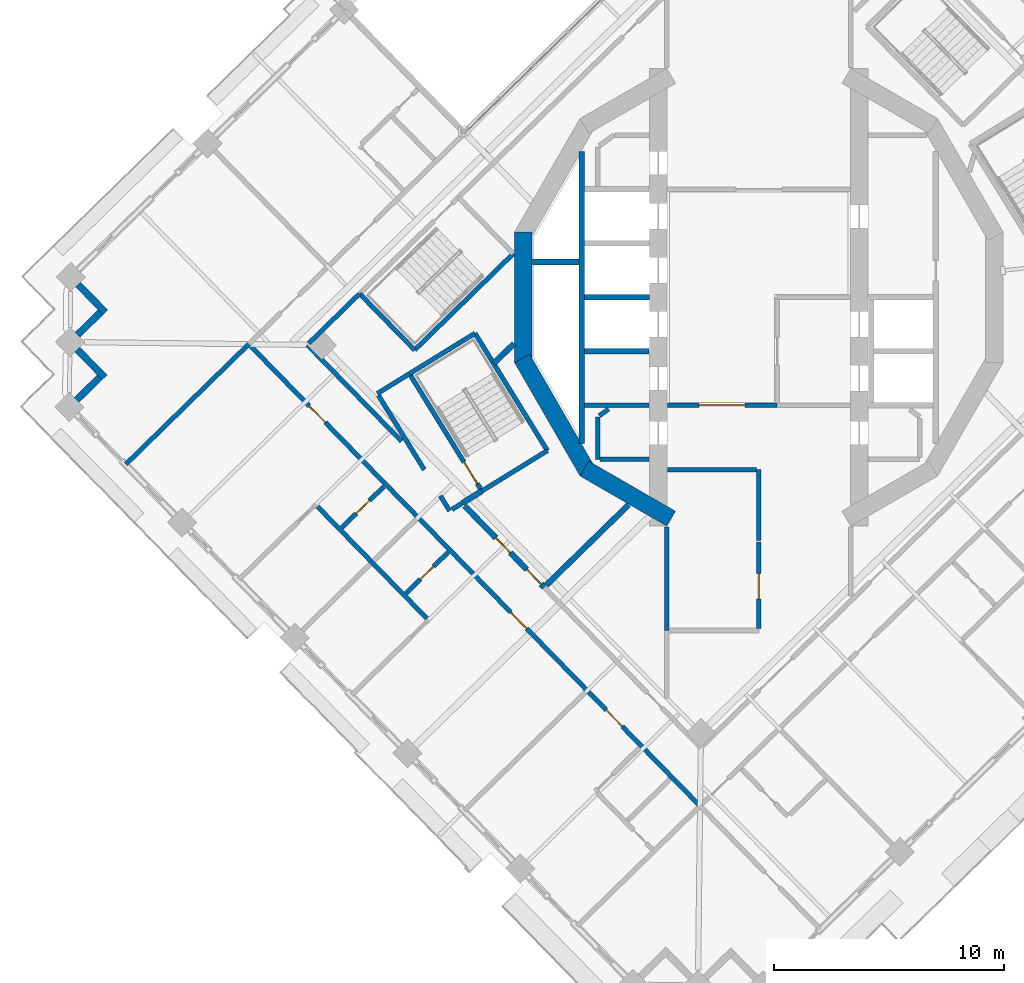
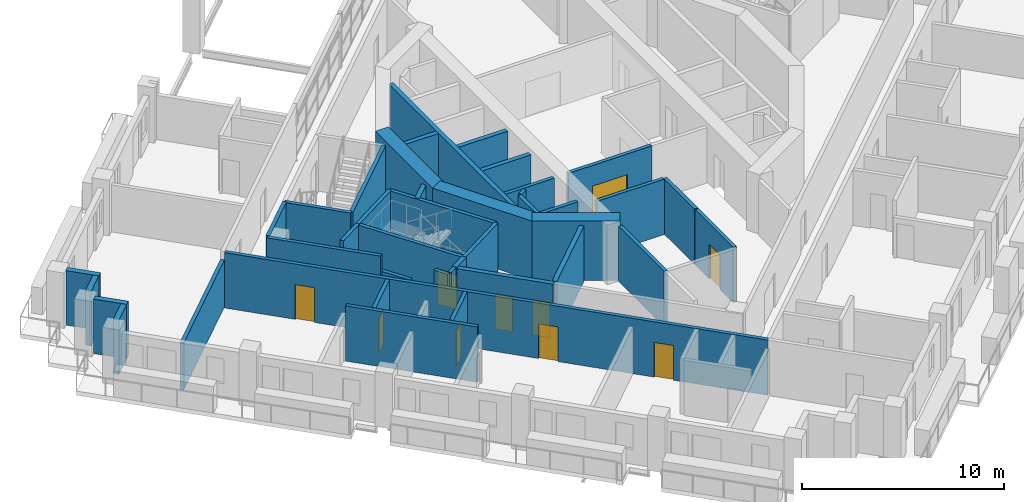
# One storey, part 6 of 18: 41 walls, 10 doors, 10 openings.
"""IFC4 building model written with IfcOpenShell, lengths in metres."""

from ifc_helpers import new_model, si_unit, direction, frame, frame_2d, origin, place, context, subcontext, project, spatial, rectangle, extrude, material, layer, layer_set, type_object, element, fill, save


model = new_model("IFC4")

# Units and contexts
model_context = context("Model", 3, precision=1e-05, world=origin(), true_north=direction((0.0, 1.0)))
body_context = subcontext(model_context, "Body", "Model", "MODEL_VIEW")
ifc_project = project(units=[si_unit("LENGTHUNIT", "METRE"), si_unit("AREAUNIT", "SQUARE_METRE"), si_unit("VOLUMEUNIT", "CUBIC_METRE"), si_unit("PLANEANGLEUNIT", "RADIAN"), si_unit("MASSUNIT", "GRAM", prefix="KILO")], contexts=[model_context])

# Site, building, storey
site_placement = place(None, origin())
site = spatial("IfcSite", under=ifc_project, at=site_placement, CompositionType="ELEMENT")
building_placement = place(site_placement, origin())
building = spatial("IfcBuilding", under=site, at=building_placement, Name="Cantera Rosa Tower", CompositionType="ELEMENT")
storey_placement = place(building_placement, frame((0.0, 0.0, 219.800048828125)))
storey = spatial("IfcBuildingStorey", under=building, at=storey_placement, Name="L47", CompositionType="ELEMENT", Elevation=219.800048828125)

# Wall
ifc_material_1 = material(Name="Gypsum board partition")
ifc_layer_1 = layer(ifc_material_1, 0.199951171875)
ifc_layer_set_1 = layer_set([ifc_layer_1], Name="CORRIDOR WALL 200 H2300")
wall_type_1 = type_object("IfcWallType", Name="CORRIDOR WALL 200 H2300", PredefinedType="PARTITIONING", material=ifc_layer_set_1)
wall_1_placement = place(storey_placement, frame((-16.548095703125, -4.274658203125, 0.0), z_axis=(0.0, 0.0, 1.0), x_axis=(0.524970357961, -0.851120510423, 0.0)))
element("IfcWall", 1, at=wall_1_placement, inside=storey, type_object=wall_type_1, Name="CORRIDOR WALL L47-012", PredefinedType="PARTITIONING", context=body_context, shape_type="SweptSolid", body=[
    extrude(rectangle(XDim=3.790771484375, YDim=0.199951171875, at=frame_2d((1.8955078125, 0.0))), origin(), (0.0, 0.0, 1.0), 2.300048828125),
])

# Wall, openings, doors
ifc_material_2 = material(Name="Gypsum board partition")
ifc_layer_2 = layer(ifc_material_2, 0.199951171875)
ifc_layer_set_2 = layer_set([ifc_layer_2], Name="CORRIDOR WALL 200 H3350")
wall_type_2 = type_object("IfcWallType", Name="CORRIDOR WALL 200 H3350", PredefinedType="PARTITIONING", material=ifc_layer_set_2)
wall_2_placement = place(storey_placement, frame((-22.109130859375, -2.125732421875, 0.0), z_axis=(0.0, 0.0, 1.0), x_axis=(0.698826334324, -0.715291377311, 0.0)))
wall_2 = element("IfcWall", 2, at=wall_2_placement, inside=storey, type_object=wall_type_2, Name="CORRIDOR WALL L47-003", PredefinedType="PARTITIONING", context=body_context, shape_type="SweptSolid", body=[
    extrude(rectangle(XDim=27.97998046875, YDim=0.199951171875, at=frame_2d((13.989990234375, 0.0))), origin(), (0.0, 0.0, 1.0), 3.349853515625),
])
opening_1_placement = place(wall_2_placement, frame((3.64990234375, 0.0, 0.0)))
opening_1 = element("IfcOpeningElement", 3, at=opening_1_placement, cuts=wall_2, Name="Opening L47-037", PredefinedType="OPENING", context=body_context, shape_type="SweptSolid", body=[
    extrude(rectangle(XDim=1.0, YDim=2.10009765625, at=frame_2d((0.5, 1.050048828125))), frame((0.0, 0.10986328125, 0.0), z_axis=(0.0, -1.0, 0.0), x_axis=(1.0, 0.0, 0.0)), (0.0, 0.0, 1.0), 0.219970703125),
])
opening_2_placement = place(wall_2_placement, frame((16.18505859375, 0.0, 0.0)))
opening_2 = element("IfcOpeningElement", 4, at=opening_2_placement, cuts=wall_2, Name="Opening L47-040", PredefinedType="OPENING", context=body_context, shape_type="SweptSolid", body=[
    extrude(rectangle(XDim=1.0, YDim=2.10009765625, at=frame_2d((0.5, 1.050048828125))), frame((0.0, 0.10986328125, 0.0), z_axis=(0.0, -1.0, 0.0), x_axis=(1.0, 0.0, 0.0)), (0.0, 0.0, 1.0), 0.219970703125),
])
opening_3_placement = place(wall_2_placement, frame((22.139892578125, 0.0, 0.0)))
opening_3 = element("IfcOpeningElement", 5, at=opening_3_placement, cuts=wall_2, Name="Opening L47-043", PredefinedType="OPENING", context=body_context, shape_type="SweptSolid", body=[
    extrude(rectangle(XDim=1.0, YDim=2.10009765625, at=frame_2d((0.5, 1.050048828125))), frame((0.0, 0.10986328125, 0.0), z_axis=(0.0, -1.0, 0.0), x_axis=(1.0, 0.0, 0.0)), (0.0, 0.0, 1.0), 0.219970703125),
])
ifc_material_3 = material(Name="Timber door leaf", Category="wood")
door_type_1 = type_object("IfcDoorType", Name="ENTRANCE DOOR 1000x2100", OperationType="NOTDEFINED", PredefinedType="DOOR", material=ifc_material_3)
door_1_placement = place(opening_1_placement, origin())
door_1 = element("IfcDoor", 6, at=door_1_placement, inside=storey, type_object=door_type_1, Name="DOOR L47-037", OperationType="NOTDEFINED", OverallHeight=2.10009765625, OverallWidth=1.0, PredefinedType="DOOR", context=body_context, shape_type="SweptSolid", body=[
    extrude(rectangle(XDim=1.0, YDim=2.10009765625, at=frame_2d((0.5, 1.050048828125))), frame((0.0, 0.02490234375, 0.0), z_axis=(0.0, -1.0, 0.0), x_axis=(1.0, 0.0, 0.0)), (0.0, 0.0, 1.0), 0.050048828125),
])
fill(opening_1, door_1)
door_2_placement = place(opening_2_placement, origin())
door_2 = element("IfcDoor", 7, at=door_2_placement, inside=storey, type_object=door_type_1, Name="DOOR L47-040", OperationType="NOTDEFINED", OverallHeight=2.10009765625, OverallWidth=1.0, PredefinedType="DOOR", context=body_context, shape_type="SweptSolid", body=[
    extrude(rectangle(XDim=1.0, YDim=2.10009765625, at=frame_2d((0.5, 1.050048828125))), frame((0.0, 0.02490234375, 0.0), z_axis=(0.0, -1.0, 0.0), x_axis=(1.0, 0.0, 0.0)), (0.0, 0.0, 1.0), 0.050048828125),
])
fill(opening_2, door_2)
door_3_placement = place(opening_3_placement, origin())
door_3 = element("IfcDoor", 8, at=door_3_placement, inside=storey, type_object=door_type_1, Name="DOOR L47-043", OperationType="NOTDEFINED", OverallHeight=2.10009765625, OverallWidth=1.0, PredefinedType="DOOR", context=body_context, shape_type="SweptSolid", body=[
    extrude(rectangle(XDim=1.0, YDim=2.10009765625, at=frame_2d((0.5, 1.050048828125))), frame((0.0, 0.02490234375, 0.0), z_axis=(0.0, -1.0, 0.0), x_axis=(1.0, 0.0, 0.0)), (0.0, 0.0, 1.0), 0.050048828125),
])
fill(opening_3, door_3)

# Walls
wall_3_placement = place(storey_placement, frame((-19.647705078125, -2.069580078125, 0.0), z_axis=(0.0, 0.0, 1.0), x_axis=(0.698845926006, -0.715272236079, 0.0)))
element("IfcWall", 9, at=wall_3_placement, inside=storey, type_object=wall_type_2, Name="CORRIDOR WALL L47-004", PredefinedType="PARTITIONING", context=body_context, shape_type="SweptSolid", body=[
    extrude(rectangle(XDim=5.870849609375, YDim=0.199951171875, at=frame_2d((2.935546875, 0.0))), origin(), (0.0, 0.0, 1.0), 3.349853515625),
])
wall_4_placement = place(storey_placement, frame((-17.36962890625, 0.156005859375, 0.0), z_axis=(0.0, 0.0, 1.0), x_axis=(-0.715289693103, -0.69882805821, 0.0)))
element("IfcWall", 10, at=wall_4_placement, inside=storey, type_object=wall_type_2, Name="CORRIDOR WALL L47-009", PredefinedType="PARTITIONING", context=body_context, shape_type="SweptSolid", body=[
    extrude(rectangle(XDim=3.084716796875, YDim=0.199951171875, at=frame_2d((1.54248046875, 0.0))), origin(), (0.0, 0.0, 1.0), 3.349853515625),
])
wall_5_placement = place(storey_placement, frame((-16.6005859375, -4.189697265625, 0.0), z_axis=(0.0, 0.0, 1.0), x_axis=(0.8510360128, 0.525107327047, 0.0)))
element("IfcWall", 11, at=wall_5_placement, inside=storey, type_object=wall_type_2, Name="CORRIDOR WALL L47-011", PredefinedType="PARTITIONING", context=body_context, shape_type="SweptSolid", body=[
    extrude(rectangle(XDim=1.64501953125, YDim=0.199951171875, at=frame_2d((0.822509765625, 0.0))), origin(), (0.0, 0.0, 1.0), 3.349853515625),
])
wall_6_placement = place(storey_placement, frame((-13.8525390625, -8.64501953125, 0.0), z_axis=(0.0, 0.0, 1.0), x_axis=(0.52482706305, -0.851208877944, 0.0)))
element("IfcWall", 12, at=wall_6_placement, inside=storey, type_object=wall_type_2, Name="CORRIDOR WALL L47-013", PredefinedType="PARTITIONING", context=body_context, shape_type="SweptSolid", body=[
    extrude(rectangle(XDim=0.76513671875, YDim=0.199951171875, at=frame_2d((0.382568359375, 0.0))), origin(), (0.0, 0.0, 1.0), 3.349853515625),
])
wall_7_placement = place(storey_placement, frame((-13.3486328125, -9.2333984375, 0.0), z_axis=(0.0, 0.0, 1.0), x_axis=(0.851004350762, 0.525158637922, 0.0)))
element("IfcWall", 13, at=wall_7_placement, inside=storey, type_object=wall_type_2, Name="CORRIDOR WALL L47-020", PredefinedType="PARTITIONING", context=body_context, shape_type="SweptSolid", body=[
    extrude(rectangle(XDim=0.51318359375, YDim=0.199951171875, at=frame_2d((0.256591796875, 0.0))), origin(), (0.0, 0.0, 1.0), 3.349853515625),
])

# Wall, opening, door
wall_8_placement = place(storey_placement, frame((0.0, -14.419921875, 0.0), z_axis=(0.0, 0.0, 1.0), x_axis=(0.0, 1.0, 0.0)))
wall_8 = element("IfcWall", 14, at=wall_8_placement, inside=storey, type_object=wall_type_2, Name="CORRIDOR WALL L47-062", PredefinedType="PARTITIONING", context=body_context, shape_type="SweptSolid", body=[
    extrude(rectangle(XDim=3.7646484375, YDim=0.199951171875, at=frame_2d((1.88232421875, 0.0))), origin(), (0.0, 0.0, 1.0), 3.349853515625),
])
opening_4_placement = place(wall_8_placement, frame((1.29248046875, 0.0, 0.0)))
opening_4 = element("IfcOpeningElement", 15, at=opening_4_placement, cuts=wall_8, Name="Opening L47-017", PredefinedType="OPENING", context=body_context, shape_type="SweptSolid", body=[
    extrude(rectangle(XDim=1.10009765625, YDim=2.10009765625, at=frame_2d((0.550048828125, 1.050048828125))), frame((0.0, 0.10986328125, 0.0), z_axis=(0.0, -1.0, 0.0), x_axis=(1.0, 0.0, 0.0)), (0.0, 0.0, 1.0), 0.219970703125),
])
ifc_material_4 = material(Name="Timber door leaf", Category="wood")
door_type_2 = type_object("IfcDoorType", Name="ROOM DOOR 1100x2100", OperationType="NOTDEFINED", PredefinedType="DOOR", material=ifc_material_4)
door_4_placement = place(opening_4_placement, origin())
door_4 = element("IfcDoor", 16, at=door_4_placement, inside=storey, type_object=door_type_2, Name="DOOR L47-017", OperationType="NOTDEFINED", OverallHeight=2.10009765625, OverallWidth=1.10009765625, PredefinedType="DOOR", context=body_context, shape_type="SweptSolid", body=[
    extrude(rectangle(XDim=1.10009765625, YDim=2.10009765625, at=frame_2d((0.550048828125, 1.050048828125))), frame((0.0, 0.02490234375, 0.0), z_axis=(0.0, -1.0, 0.0), x_axis=(1.0, 0.0, 0.0)), (0.0, 0.0, 1.0), 0.050048828125),
])
fill(opening_4, door_4)

# Walls
wall_9_placement = place(storey_placement, frame((0.0, -10.59521484375, 0.0), z_axis=(0.0, 0.0, 1.0), x_axis=(0.0, 1.0, 0.0)))
element("IfcWall", 17, at=wall_9_placement, inside=storey, type_object=wall_type_2, Name="CORRIDOR WALL L47-063", PredefinedType="PARTITIONING", context=body_context, shape_type="SweptSolid", body=[
    extrude(rectangle(XDim=3.09521484375, YDim=0.199951171875, at=frame_2d((1.547607421875, 0.0))), origin(), (0.0, 0.0, 1.0), 3.349853515625),
])
wall_10_placement = place(storey_placement, frame((-0.10009765625, -7.5, 0.0), z_axis=(0.0, 0.0, 1.0), x_axis=(-1.0, 0.0, 0.0)))
element("IfcWall", 18, at=wall_10_placement, inside=storey, type_object=wall_type_2, Name="CORRIDOR WALL L47-064", PredefinedType="PARTITIONING", context=body_context, shape_type="SweptSolid", body=[
    extrude(rectangle(XDim=3.869873046875, YDim=0.199951171875, at=frame_2d((1.93505859375, 0.0))), origin(), (0.0, 0.0, 1.0), 3.349853515625),
])

# Wall, opening, door
wall_11_placement = place(storey_placement, frame((0.800048828125, -4.699951171875, 0.0), z_axis=(0.0, 0.0, 1.0), x_axis=(-1.0, 0.0, 0.0)))
wall_11 = element("IfcWall", 19, at=wall_11_placement, inside=storey, type_object=wall_type_2, Name="CORRIDOR WALL L47-065", PredefinedType="PARTITIONING", context=body_context, shape_type="SweptSolid", body=[
    extrude(rectangle(XDim=4.77001953125, YDim=0.199951171875, at=frame_2d((2.385009765625, 0.0))), origin(), (0.0, 0.0, 1.0), 3.349853515625),
])
opening_5_placement = place(wall_11_placement, frame((1.39990234375, 0.0, 0.0)))
opening_5 = element("IfcOpeningElement", 20, at=opening_5_placement, cuts=wall_11, Name="Opening L47-015", PredefinedType="OPENING", context=body_context, shape_type="SweptSolid", body=[
    extrude(rectangle(XDim=2.0, YDim=2.10009765625, at=frame_2d((1.0, 1.050048828125))), frame((0.0, 0.10986328125, 0.0), z_axis=(0.0, -1.0, 0.0), x_axis=(1.0, 0.0, 0.0)), (0.0, 0.0, 1.0), 0.219970703125),
])
ifc_material_5 = material(Name="Steel S355J2 (EN 10025-2)", Category="steel")
door_type_3 = type_object("IfcDoorType", Name="LOBBY SCREEN DOOR 2000x2100", OperationType="NOTDEFINED", PredefinedType="DOOR", material=ifc_material_5)
door_5_placement = place(opening_5_placement, origin())
door_5 = element("IfcDoor", 21, at=door_5_placement, inside=storey, type_object=door_type_3, Name="DOOR L47-015", OperationType="NOTDEFINED", OverallHeight=2.10009765625, OverallWidth=2.0, PredefinedType="DOOR", context=body_context, shape_type="SweptSolid", body=[
    extrude(rectangle(XDim=2.0, YDim=2.10009765625, at=frame_2d((1.0, 1.050048828125))), frame((0.0, 0.02490234375, 0.0), z_axis=(0.0, -1.0, 0.0), x_axis=(1.0, 0.0, 0.0)), (0.0, 0.0, 1.0), 0.050048828125),
])
fill(opening_5, door_5)

# Walls
ifc_material_6 = material(Name="Hollow clay masonry with cantera stone cladding", Category="masonry")
ifc_layer_3 = layer(ifc_material_6, 0.300048828125)
ifc_layer_set_3 = layer_set([ifc_layer_3], Name="EW-LOGGIA 300")
wall_type_3 = type_object("IfcWallType", Name="EW-LOGGIA 300", PredefinedType="SOLIDWALL", material=ifc_layer_set_3)
wall_12_placement = place(storey_placement, frame((-29.623291015625, 0.556884765625, 0.0), z_axis=(0.0, 0.0, 1.0), x_axis=(0.69880105094, -0.715316077832, 0.0)))
element("IfcWall", 22, at=wall_12_placement, inside=storey, type_object=wall_type_3, Name="EN-L47-W12a", PredefinedType="SOLIDWALL", context=body_context, shape_type="SweptSolid", body=[
    extrude(rectangle(XDim=1.699951171875, YDim=0.300048828125, at=frame_2d((0.85009765625, 0.0))), origin(), (0.0, 0.0, 1.0), 3.300048828125),
])
wall_13_placement = place(storey_placement, frame((-28.6474609375, -0.65673828125, 0.0), z_axis=(0.0, 0.0, 1.0), x_axis=(-0.715341715727, -0.698774806172, 0.0)))
element("IfcWall", 23, at=wall_13_placement, inside=storey, type_object=wall_type_3, Name="EN-L47-W12b", PredefinedType="SOLIDWALL", context=body_context, shape_type="SweptSolid", body=[
    extrude(rectangle(XDim=1.39990234375, YDim=0.300048828125, at=frame_2d((0.699951171875, 0.0))), origin(), (0.0, 0.0, 1.0), 3.300048828125),
])
wall_14_placement = place(storey_placement, frame((-29.65625, -2.271484375, 0.0), z_axis=(0.0, 0.0, 1.0), x_axis=(0.698872839675, -0.715245939495, 0.0)))
element("IfcWall", 24, at=wall_14_placement, inside=storey, type_object=wall_type_3, Name="EN-L47-W13a", PredefinedType="SOLIDWALL", context=body_context, shape_type="SweptSolid", body=[
    extrude(rectangle(XDim=1.699951171875, YDim=0.300048828125, at=frame_2d((0.85009765625, 0.0))), origin(), (0.0, 0.0, 1.0), 3.300048828125),
])
wall_15_placement = place(storey_placement, frame((-28.680419921875, -3.48486328125, 0.0), z_axis=(0.0, 0.0, 1.0), x_axis=(-0.71516937164, -0.698951192766, 0.0)))
element("IfcWall", 25, at=wall_15_placement, inside=storey, type_object=wall_type_3, Name="EN-L47-W13b", PredefinedType="SOLIDWALL", context=body_context, shape_type="SweptSolid", body=[
    extrude(rectangle(XDim=1.39990234375, YDim=0.300048828125, at=frame_2d((0.699951171875, 0.0))), origin(), (0.0, 0.0, 1.0), 3.300048828125),
])
ifc_material_7 = material(Name="Gypsum board partition")
ifc_layer_4 = layer(ifc_material_7, 0.199951171875)
ifc_layer_set_4 = layer_set([ifc_layer_4], Name="PARTITION 200 H3350")
wall_type_4 = type_object("IfcWallType", Name="PARTITION 200 H3350", PredefinedType="PARTITIONING", material=ifc_layer_set_4)
wall_16_placement = place(storey_placement, frame((-19.19921875, -9.111083984375, 0.0), z_axis=(0.0, 0.0, 1.0), x_axis=(0.698837366631, -0.715280598787, 0.0)))
element("IfcWall", 26, at=wall_16_placement, inside=storey, type_object=wall_type_4, Name="PARTITION L47-005", PredefinedType="PARTITIONING", context=body_context, shape_type="SweptSolid", body=[
    extrude(rectangle(XDim=6.800048828125, YDim=0.199951171875, at=frame_2d((3.39990234375, 0.0))), origin(), (0.0, 0.0, 1.0), 3.349853515625),
])

# Wall, opening, door
wall_17_placement = place(storey_placement, frame((-18.14208984375, -10.021484375, 0.0), z_axis=(0.0, 0.0, 1.0), x_axis=(0.715307445705, 0.698809886965, 0.0)))
wall_17 = element("IfcWall", 27, at=wall_17_placement, inside=storey, type_object=wall_type_4, Name="PARTITION L47-007", PredefinedType="PARTITIONING", context=body_context, shape_type="SweptSolid", body=[
    extrude(rectangle(XDim=2.56005859375, YDim=0.199951171875, at=frame_2d((1.280029296875, 0.0))), origin(), (0.0, 0.0, 1.0), 3.349853515625),
])
opening_6_placement = place(wall_17_placement, frame((0.8798828125, 0.0, 0.0)))
opening_6 = element("IfcOpeningElement", 28, at=opening_6_placement, cuts=wall_17, Name="Opening L47-038", PredefinedType="OPENING", context=body_context, shape_type="SweptSolid", body=[
    extrude(rectangle(XDim=0.800048828125, YDim=2.10009765625, at=frame_2d((0.39990234375, 1.050048828125))), frame((0.0, 0.10986328125, 0.0), z_axis=(0.0, -1.0, 0.0), x_axis=(1.0, 0.0, 0.0)), (0.0, 0.0, 1.0), 0.219970703125),
])
ifc_material_8 = material(Name="Timber door leaf", Category="wood")
door_type_4 = type_object("IfcDoorType", Name="BATHROOM DOOR 800x2100", OperationType="NOTDEFINED", PredefinedType="DOOR", material=ifc_material_8)
door_6_placement = place(opening_6_placement, origin())
door_6 = element("IfcDoor", 29, at=door_6_placement, inside=storey, type_object=door_type_4, Name="DOOR L47-038", OperationType="NOTDEFINED", OverallHeight=2.10009765625, OverallWidth=0.800048828125, PredefinedType="DOOR", context=body_context, shape_type="SweptSolid", body=[
    extrude(rectangle(XDim=0.800048828125, YDim=2.10009765625, at=frame_2d((0.39990234375, 1.050048828125))), frame((0.0, 0.02490234375, 0.0), z_axis=(0.0, -1.0, 0.0), x_axis=(1.0, 0.0, 0.0)), (0.0, 0.0, 1.0), 0.050048828125),
])
fill(opening_6, door_6)

wall_18_placement = place(storey_placement, frame((-13.515380859375, -11.093505859375, 0.0), z_axis=(0.0, 0.0, 1.0), x_axis=(-0.715307445705, -0.698809886965, 0.0)))
wall_18 = element("IfcWall", 30, at=wall_18_placement, inside=storey, type_object=wall_type_4, Name="PARTITION L47-021", PredefinedType="PARTITIONING", context=body_context, shape_type="SweptSolid", body=[
    extrude(rectangle(XDim=2.56005859375, YDim=0.199951171875, at=frame_2d((1.280029296875, 0.0))), origin(), (0.0, 0.0, 1.0), 3.349853515625),
])
opening_7_placement = place(wall_18_placement, frame((0.8798828125, 0.0, 0.0)))
opening_7 = element("IfcOpeningElement", 31, at=opening_7_placement, cuts=wall_18, Name="Opening L47-041", PredefinedType="OPENING", context=body_context, shape_type="SweptSolid", body=[
    extrude(rectangle(XDim=0.800048828125, YDim=2.10009765625, at=frame_2d((0.39990234375, 1.050048828125))), frame((0.0, 0.10986328125, 0.0), z_axis=(0.0, -1.0, 0.0), x_axis=(1.0, 0.0, 0.0)), (0.0, 0.0, 1.0), 0.219970703125),
])
door_7_placement = place(opening_7_placement, origin())
door_7 = element("IfcDoor", 32, at=door_7_placement, inside=storey, type_object=door_type_4, Name="DOOR L47-041", OperationType="NOTDEFINED", OverallHeight=2.10009765625, OverallWidth=0.800048828125, PredefinedType="DOOR", context=body_context, shape_type="SweptSolid", body=[
    extrude(rectangle(XDim=0.800048828125, YDim=2.10009765625, at=frame_2d((0.39990234375, 1.050048828125))), frame((0.0, 0.02490234375, 0.0), z_axis=(0.0, -1.0, 0.0), x_axis=(1.0, 0.0, 0.0)), (0.0, 0.0, 1.0), 0.050048828125),
])
fill(opening_7, door_7)

# Walls
wall_19_placement = place(storey_placement, frame((-7.0, -7.050048828125, 0.0), z_axis=(0.0, 0.0, 1.0), x_axis=(0.0, 1.0, 0.0)))
element("IfcWall", 33, at=wall_19_placement, inside=storey, type_object=wall_type_4, Name="PARTITION L47-041", PredefinedType="PARTITIONING", context=body_context, shape_type="SweptSolid", body=[
    extrude(rectangle(XDim=1.85009765625, YDim=0.199951171875, at=frame_2d((0.925048828125, 0.0))), origin(), (0.0, 0.0, 1.0), 3.349853515625),
])
wall_20_placement = place(storey_placement, frame((-6.935302734375, -5.15283203125, 0.0), z_axis=(0.0, 0.0, 1.0), x_axis=(0.808368872862, 0.588676282338, 0.0)))
element("IfcWall", 34, at=wall_20_placement, inside=storey, type_object=wall_type_4, Name="PARTITION L47-042", PredefinedType="PARTITIONING", context=body_context, shape_type="SweptSolid", body=[
    extrude(rectangle(XDim=0.489013671875, YDim=0.199951171875, at=frame_2d((0.24462890625, 0.0))), origin(), (0.0, 0.0, 1.0), 3.349853515625),
])
wall_21_placement = place(storey_placement, frame((-4.780029296875, -7.050048828125, 0.0), z_axis=(0.0, 0.0, 1.0), x_axis=(-1.0, 0.0, 0.0)))
element("IfcWall", 35, at=wall_21_placement, inside=storey, type_object=wall_type_4, Name="PARTITION L47-048", PredefinedType="PARTITIONING", context=body_context, shape_type="SweptSolid", body=[
    extrude(rectangle(XDim=2.139892578125, YDim=0.199951171875, at=frame_2d((1.06982421875, 0.0))), origin(), (0.0, 0.0, 1.0), 3.349853515625),
])
wall_22_placement = place(storey_placement, frame((-4.780029296875, -4.699951171875, 0.0), z_axis=(0.0, 0.0, 1.0), x_axis=(-1.0, 0.0, 0.0)))
element("IfcWall", 36, at=wall_22_placement, inside=storey, type_object=wall_type_4, Name="PARTITION L47-049", PredefinedType="PARTITIONING", context=body_context, shape_type="SweptSolid", body=[
    extrude(rectangle(XDim=2.794921875, YDim=0.199951171875, at=frame_2d((1.3974609375, 0.0))), origin(), (0.0, 0.0, 1.0), 3.349853515625),
])
wall_23_placement = place(storey_placement, frame((-4.0, -9.994140625, 0.0), z_axis=(0.0, 0.0, 1.0), x_axis=(0.0, -1.0, 0.0)))
element("IfcWall", 37, at=wall_23_placement, inside=storey, type_object=wall_type_4, Name="PARTITION L47-053", PredefinedType="PARTITIONING", context=body_context, shape_type="SweptSolid", body=[
    extrude(rectangle(XDim=4.505859375, YDim=0.199951171875, at=frame_2d((2.2529296875, 0.0))), origin(), (0.0, 0.0, 1.0), 3.349853515625),
])
ifc_material_9 = material(Name="Gypsum board partition")
ifc_layer_5 = layer(ifc_material_9, 0.199951171875)
ifc_layer_set_5 = layer_set([ifc_layer_5], Name="PARTY WALL 200 H2850")
wall_type_5 = type_object("IfcWallType", Name="PARTY WALL 200 H2850", PredefinedType="PARTITIONING", material=ifc_layer_set_5)
wall_24_placement = place(storey_placement, frame((-22.193115234375, -2.0400390625, 0.0), z_axis=(0.0, 0.0, 1.0), x_axis=(-0.715278908715, -0.698839096465, 0.0)))
element("IfcWall", 38, at=wall_24_placement, inside=storey, type_object=wall_type_5, Name="PARTY WALL L47-002", PredefinedType="PARTITIONING", context=body_context, shape_type="SweptSolid", body=[
    extrude(rectangle(XDim=7.4697265625, YDim=0.199951171875, at=frame_2d((3.73486328125, 0.0))), origin(), (0.0, 0.0, 1.0), 2.849853515625),
])
ifc_material_10 = material(Name="Concrete C60/75", Category="concrete")
ifc_layer_6 = layer(ifc_material_10, 0.75)
ifc_layer_set_6 = layer_set([ifc_layer_6], Name="RC CORE WALL 750 C60/75")
wall_type_6 = type_object("IfcWallType", Name="RC CORE WALL 750 C60/75", PredefinedType="SHEAR", material=ifc_layer_set_6)
wall_25_placement = place(storey_placement, frame((-3.8125, -9.634765625, 0.0), z_axis=(0.0, 0.0, 1.0), x_axis=(-0.866013176292, 0.50002117804, 0.0)))
element("IfcWall", 39, at=wall_25_placement, inside=storey, type_object=wall_type_6, Name="CW-W1 L47", PredefinedType="SHEAR", context=body_context, shape_type="SweptSolid", body=[
    extrude(rectangle(XDim=4.362548828125, YDim=0.75, at=frame_2d((2.18115234375, 0.0))), origin(), (0.0, 0.0, 1.0), 3.599853515625),
])
wall_26_placement = place(storey_placement, frame((-7.453369140625, -7.590576171875, 0.0), z_axis=(0.0, 0.0, 1.0), x_axis=(-0.500021842983, 0.866012792365, 0.0)))
element("IfcWall", 40, at=wall_26_placement, inside=storey, type_object=wall_type_6, Name="CW-W2 L47", PredefinedType="SHEAR", context=body_context, shape_type="SweptSolid", body=[
    extrude(rectangle(XDim=5.694091796875, YDim=0.75, at=frame_2d((2.84716796875, 0.0))), origin(), (0.0, 0.0, 1.0), 3.599853515625),
])
wall_27_placement = place(storey_placement, frame((-10.250244140625, -2.846923828125, 0.0), z_axis=(0.0, 0.0, 1.0), x_axis=(0.0, 1.0, 0.0)))
element("IfcWall", 41, at=wall_27_placement, inside=storey, type_object=wall_type_6, Name="CW-W3 L47", PredefinedType="SHEAR", context=body_context, shape_type="SweptSolid", body=[
    extrude(rectangle(XDim=5.69384765625, YDim=0.75, at=frame_2d((2.846923828125, 0.0))), origin(), (0.0, 0.0, 1.0), 3.599853515625),
])
ifc_material_11 = material(Name="Masonry blockwork", Category="masonry")
ifc_layer_7 = layer(ifc_material_11, 0.25)
ifc_layer_set_7 = layer_set([ifc_layer_7], Name="SHAFT WALL 250 H3350")
wall_type_7 = type_object("IfcWallType", Name="SHAFT WALL 250 H3350", PredefinedType="SOLIDWALL", material=ifc_layer_set_7)
wall_28_placement = place(storey_placement, frame((-12.89501953125, -8.953369140625, 0.0), z_axis=(0.0, 0.0, 1.0), x_axis=(0.851108551738, 0.524989745765, 0.0)))
element("IfcWall", 42, at=wall_28_placement, inside=storey, type_object=wall_type_7, Name="SHAFT WALL L47-023", PredefinedType="SOLIDWALL", context=body_context, shape_type="SweptSolid", body=[
    extrude(rectangle(XDim=0.991943359375, YDim=0.25, at=frame_2d((0.49609375, 0.0))), origin(), (0.0, 0.0, 1.0), 3.349853515625),
])

# Wall, openings, doors
wall_29_placement = place(storey_placement, frame((-12.800048828125, -9.078369140625, 0.0), z_axis=(0.0, 0.0, 1.0), x_axis=(0.698824608222, -0.715293063676, 0.0)))
wall_29 = element("IfcWall", 43, at=wall_29_placement, inside=storey, type_object=wall_type_7, Name="SHAFT WALL L47-024", PredefinedType="SOLIDWALL", context=body_context, shape_type="SweptSolid", body=[
    extrude(rectangle(XDim=4.951416015625, YDim=0.25, at=frame_2d((2.4755859375, 0.0))), origin(), (0.0, 0.0, 1.0), 3.349853515625),
])
opening_8_placement = place(wall_29_placement, frame((3.862548828125, 0.0, 0.0)))
opening_8 = element("IfcOpeningElement", 44, at=opening_8_placement, cuts=wall_29, Name="Opening L47-009", PredefinedType="OPENING", context=body_context, shape_type="SweptSolid", body=[
    extrude(rectangle(XDim=0.89990234375, YDim=2.10009765625, at=frame_2d((0.449951171875, 1.050048828125))), frame((0.0, 0.135009765625, 0.0), z_axis=(0.0, -1.0, 0.0), x_axis=(1.0, 0.0, 0.0)), (0.0, 0.0, 1.0), 0.27001953125),
])
opening_9_placement = place(wall_29_placement, frame((1.94580078125, 0.0, 0.0)))
opening_9 = element("IfcOpeningElement", 45, at=opening_9_placement, cuts=wall_29, Name="Opening L47-057", PredefinedType="OPENING", context=body_context, shape_type="SweptSolid", body=[
    extrude(rectangle(XDim=0.89990234375, YDim=2.10009765625, at=frame_2d((0.449951171875, 1.050048828125))), frame((0.0, 0.135009765625, 0.0), z_axis=(0.0, -1.0, 0.0), x_axis=(1.0, 0.0, 0.0)), (0.0, 0.0, 1.0), 0.27001953125),
])
ifc_material_12 = material(Name="Timber door leaf", Category="wood")
door_type_5 = type_object("IfcDoorType", Name="SERVICE DOOR 900x2100", OperationType="NOTDEFINED", PredefinedType="DOOR", material=ifc_material_12)
door_8_placement = place(opening_8_placement, origin())
door_8 = element("IfcDoor", 46, at=door_8_placement, inside=storey, type_object=door_type_5, Name="RISER DOOR L47-009", OperationType="NOTDEFINED", OverallHeight=2.10009765625, OverallWidth=0.89990234375, PredefinedType="DOOR", context=body_context, shape_type="SweptSolid", body=[
    extrude(rectangle(XDim=0.89990234375, YDim=2.10009765625, at=frame_2d((0.449951171875, 1.050048828125))), frame((0.0, 0.02490234375, 0.0), z_axis=(0.0, -1.0, 0.0), x_axis=(1.0, 0.0, 0.0)), (0.0, 0.0, 1.0), 0.050048828125),
])
fill(opening_8, door_8)
door_9_placement = place(opening_9_placement, origin())
door_9 = element("IfcDoor", 47, at=door_9_placement, inside=storey, type_object=door_type_5, Name="RISER DOOR L47-057", OperationType="NOTDEFINED", OverallHeight=2.10009765625, OverallWidth=0.89990234375, PredefinedType="DOOR", context=body_context, shape_type="SweptSolid", body=[
    extrude(rectangle(XDim=0.89990234375, YDim=2.10009765625, at=frame_2d((0.449951171875, 1.050048828125))), frame((0.0, 0.02490234375, 0.0), z_axis=(0.0, -1.0, 0.0), x_axis=(1.0, 0.0, 0.0)), (0.0, 0.0, 1.0), 0.050048828125),
])
fill(opening_9, door_9)

# Walls
wall_30_placement = place(storey_placement, frame((-11.537353515625, -2.8837890625, 0.0), z_axis=(0.0, 0.0, 1.0), x_axis=(0.715175958394, 0.698944453111, 0.0)))
element("IfcWall", 48, at=wall_30_placement, inside=storey, type_object=wall_type_7, Name="SHAFT WALL L47-028", PredefinedType="SOLIDWALL", context=body_context, shape_type="SweptSolid", body=[
    extrude(rectangle(XDim=1.2333984375, YDim=0.25, at=frame_2d((0.61669921875, 0.0))), origin(), (0.0, 0.0, 1.0), 3.349853515625),
])
wall_31_placement = place(storey_placement, frame((-9.84521484375, 1.539306640625, 0.0), z_axis=(0.0, 0.0, 1.0), x_axis=(1.0, 0.0, 0.0)))
element("IfcWall", 49, at=wall_31_placement, inside=storey, type_object=wall_type_7, Name="SHAFT WALL L47-031", PredefinedType="SOLIDWALL", context=body_context, shape_type="SweptSolid", body=[
    extrude(rectangle(XDim=2.020263671875, YDim=0.25, at=frame_2d((1.01025390625, 0.0))), origin(), (0.0, 0.0, 1.0), 3.349853515625),
])
wall_32_placement = place(storey_placement, frame((-7.574951171875, -2.35009765625, 0.0), z_axis=(0.0, 0.0, 1.0), x_axis=(1.0, 0.0, 0.0)))
element("IfcWall", 50, at=wall_32_placement, inside=storey, type_object=wall_type_7, Name="SHAFT WALL L47-034", PredefinedType="SOLIDWALL", context=body_context, shape_type="SweptSolid", body=[
    extrude(rectangle(XDim=2.794921875, YDim=0.25, at=frame_2d((1.3974609375, 0.0))), origin(), (0.0, 0.0, 1.0), 3.349853515625),
])
wall_33_placement = place(storey_placement, frame((-7.574951171875, 0.0, 0.0), z_axis=(0.0, 0.0, 1.0), x_axis=(1.0, 0.0, 0.0)))
element("IfcWall", 51, at=wall_33_placement, inside=storey, type_object=wall_type_7, Name="SHAFT WALL L47-035", PredefinedType="SOLIDWALL", context=body_context, shape_type="SweptSolid", body=[
    extrude(rectangle(XDim=2.824951171875, YDim=0.25, at=frame_2d((1.41259765625, 0.0))), origin(), (0.0, 0.0, 1.0), 3.349853515625),
])
wall_34_placement = place(storey_placement, frame((-7.699951171875, 6.353515625, 0.0), z_axis=(0.0, 0.0, 1.0), x_axis=(0.0, -1.0, 0.0)))
element("IfcWall", 52, at=wall_34_placement, inside=storey, type_object=wall_type_7, Name="SHAFT WALL L47-038", PredefinedType="SOLIDWALL", context=body_context, shape_type="SweptSolid", body=[
    extrude(rectangle(XDim=12.70703125, YDim=0.25, at=frame_2d((6.353515625, 0.0))), origin(), (0.0, 0.0, 1.0), 3.349853515625),
])
wall_35_placement = place(storey_placement, frame((-5.6669921875, -9.03173828125, 0.0), z_axis=(0.0, 0.0, 1.0), x_axis=(-0.715294921359, -0.698822706756, 0.0)))
element("IfcWall", 53, at=wall_35_placement, inside=storey, type_object=wall_type_7, Name="SHAFT WALL L47-047", PredefinedType="SOLIDWALL", context=body_context, shape_type="SweptSolid", body=[
    extrude(rectangle(XDim=4.994873046875, YDim=0.25, at=frame_2d((2.49755859375, 0.0))), origin(), (0.0, 0.0, 1.0), 3.349853515625),
])
ifc_material_13 = material(Name="Concrete C50/60", Category="concrete")
ifc_layer_8 = layer(ifc_material_13, 0.199951171875)
ifc_layer_set_8 = layer_set([ifc_layer_8], Name="STAIR WALL 200 H3350")
wall_type_8 = type_object("IfcWallType", Name="STAIR WALL 200 H3350", PredefinedType="SOLIDWALL", material=ifc_layer_set_8)
wall_36_placement = place(storey_placement, frame((-15.20068359375, -3.325927734375, 0.0), z_axis=(0.0, 0.0, 1.0), x_axis=(0.85113993661, 0.524938861495, 0.0)))
element("IfcWall", 54, at=wall_36_placement, inside=storey, type_object=wall_type_8, Name="STAIR WALL L47-015", PredefinedType="SOLIDWALL", context=body_context, shape_type="SweptSolid", body=[
    extrude(rectangle(XDim=3.35009765625, YDim=0.199951171875, at=frame_2d((1.675048828125, 0.0))), origin(), (0.0, 0.0, 1.0), 3.349853515625),
])
wall_37_placement = place(storey_placement, frame((-14.975341796875, -2.294677734375, 0.0), z_axis=(0.0, 0.0, 1.0), x_axis=(-0.698828566482, 0.715289196527, 0.0)))
element("IfcWall", 55, at=wall_37_placement, inside=storey, type_object=wall_type_8, Name="STAIR WALL L47-016", PredefinedType="SOLIDWALL", context=body_context, shape_type="SweptSolid", body=[
    extrude(rectangle(XDim=3.426025390625, YDim=0.199951171875, at=frame_2d((1.712890625, 0.0))), origin(), (0.0, 0.0, 1.0), 3.349853515625),
])
wall_38_placement = place(storey_placement, frame((-12.349365234375, -1.5673828125, 0.0), z_axis=(0.0, 0.0, 1.0), x_axis=(0.524982543144, -0.851112994493, 0.0)))
element("IfcWall", 56, at=wall_38_placement, inside=storey, type_object=wall_type_8, Name="STAIR WALL L47-025", PredefinedType="SOLIDWALL", context=body_context, shape_type="SweptSolid", body=[
    extrude(rectangle(XDim=6.0, YDim=0.199951171875, at=frame_2d((3.0, 0.0))), origin(), (0.0, 0.0, 1.0), 3.349853515625),
])

# Wall, opening, door
wall_39_placement = place(storey_placement, frame((-12.05078125, -8.4326171875, 0.0), z_axis=(0.0, 0.0, 1.0), x_axis=(-0.524982543144, 0.851112994493, 0.0)))
wall_39 = element("IfcWall", 57, at=wall_39_placement, inside=storey, type_object=wall_type_8, Name="STAIR WALL L47-026", PredefinedType="SOLIDWALL", context=body_context, shape_type="SweptSolid", body=[
    extrude(rectangle(XDim=6.0, YDim=0.199951171875, at=frame_2d((3.0, 0.0))), origin(), (0.0, 0.0, 1.0), 3.349853515625),
])
opening_10_placement = place(wall_39_placement, frame((0.375, 0.0, 0.0)))
opening_10 = element("IfcOpeningElement", 58, at=opening_10_placement, cuts=wall_39, Name="Opening L47-005", PredefinedType="OPENING", context=body_context, shape_type="SweptSolid", body=[
    extrude(rectangle(XDim=1.10009765625, YDim=2.10009765625, at=frame_2d((0.550048828125, 1.050048828125))), frame((0.0, 0.10986328125, 0.0), z_axis=(0.0, -1.0, 0.0), x_axis=(1.0, 0.0, 0.0)), (0.0, 0.0, 1.0), 0.219970703125),
])
ifc_material_14 = material(Name="Steel S355J2 (EN 10025-2)", Category="steel")
door_type_6 = type_object("IfcDoorType", Name="STAIR DOOR 1100x2100", OperationType="NOTDEFINED", PredefinedType="DOOR", material=ifc_material_14)
door_10_placement = place(opening_10_placement, origin())
door_10 = element("IfcDoor", 59, at=door_10_placement, inside=storey, type_object=door_type_6, Name="DOOR L47-005", OperationType="NOTDEFINED", OverallHeight=2.10009765625, OverallWidth=1.10009765625, PredefinedType="DOOR", context=body_context, shape_type="SweptSolid", body=[
    extrude(rectangle(XDim=1.10009765625, YDim=2.10009765625, at=frame_2d((0.550048828125, 1.050048828125))), frame((0.0, 0.02490234375, 0.0), z_axis=(0.0, -1.0, 0.0), x_axis=(1.0, 0.0, 0.0)), (0.0, 0.0, 1.0), 0.050048828125),
])
fill(opening_10, door_10)

# Walls
wall_40_placement = place(storey_placement, frame((-12.05078125, -8.4326171875, 0.0), z_axis=(0.0, 0.0, 1.0), x_axis=(0.85113993661, 0.524938861495, 0.0)))
element("IfcWall", 60, at=wall_40_placement, inside=storey, type_object=wall_type_8, Name="STAIR WALL L47-027", PredefinedType="SOLIDWALL", context=body_context, shape_type="SweptSolid", body=[
    extrude(rectangle(XDim=3.35009765625, YDim=0.199951171875, at=frame_2d((1.675048828125, 0.0))), origin(), (0.0, 0.0, 1.0), 3.349853515625),
])
wall_41_placement = place(storey_placement, frame((-10.68359375, 1.8984375, 0.0), z_axis=(0.0, 0.0, 1.0), x_axis=(-0.715278260946, -0.698839759471, 0.0)))
element("IfcWall", 61, at=wall_41_placement, inside=storey, type_object=wall_type_8, Name="STAIR WALL L47-029", PredefinedType="SOLIDWALL", context=body_context, shape_type="SweptSolid", body=[
    extrude(rectangle(XDim=6.0, YDim=0.199951171875, at=frame_2d((3.0, 0.0))), origin(), (0.0, 0.0, 1.0), 3.349853515625),
])

save(model, "model.ifc")
